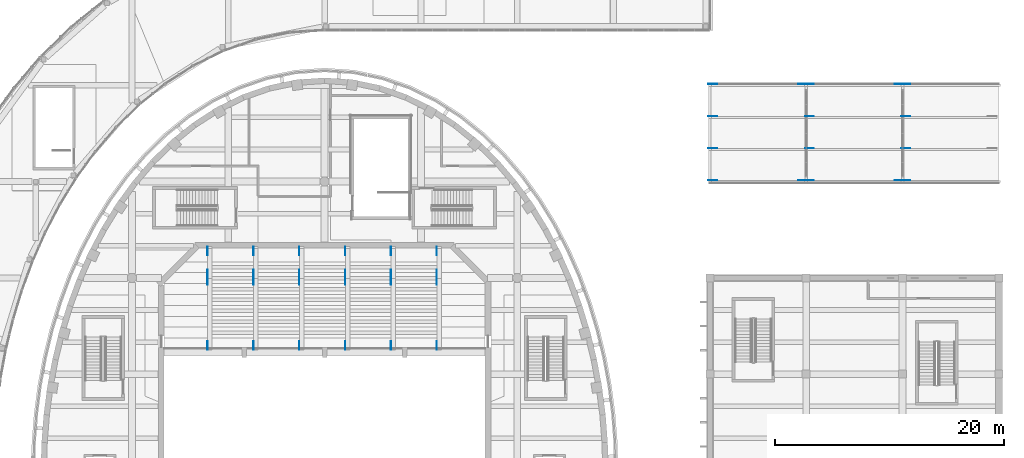
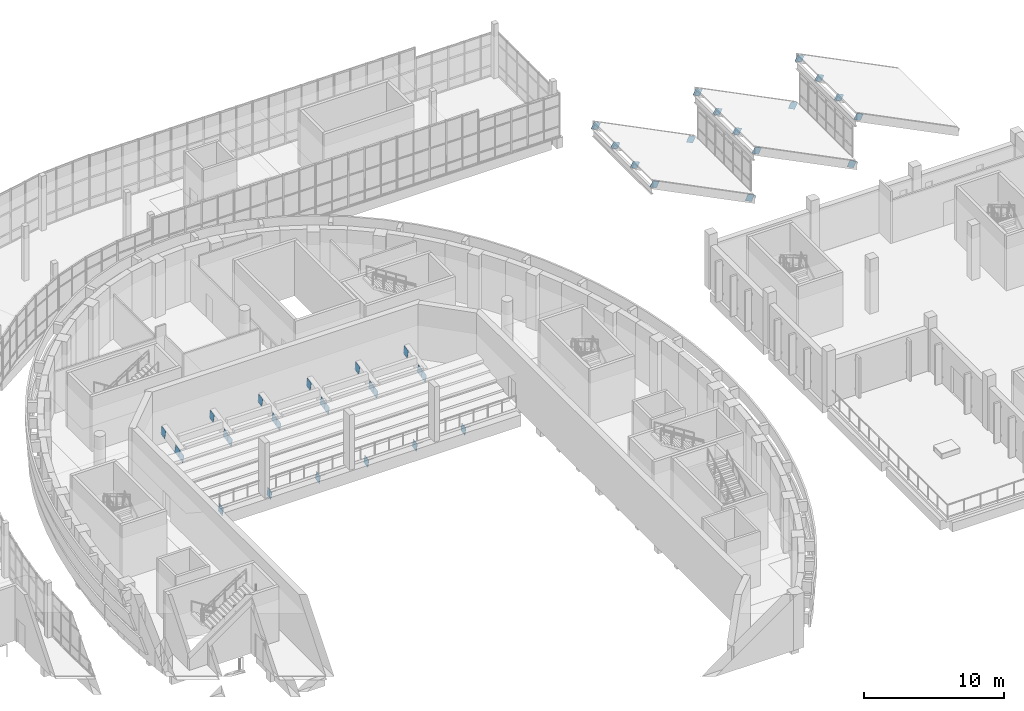
# One storey, part 66 of 103: 40 discrete accessories.
"""IFC4 building model written with IfcOpenShell, lengths in metres."""

from ifc_helpers import new_model, si_unit, direction, frame, origin, origin_2d, place, context, subcontext, project, spatial, rectangle, extrude, material, material_profile, profile_set, type_object, element, save


model = new_model("IFC4")

# Units and contexts
model_context = context("Model", 3, precision=1e-05, world=origin(), true_north=direction((0.0, 1.0)))
body_context = subcontext(model_context, "Body", "Model", "MODEL_VIEW")
ifc_project = project(units=[si_unit("LENGTHUNIT", "METRE"), si_unit("AREAUNIT", "SQUARE_METRE"), si_unit("VOLUMEUNIT", "CUBIC_METRE"), si_unit("PLANEANGLEUNIT", "RADIAN"), si_unit("MASSUNIT", "GRAM", prefix="KILO")], contexts=[model_context])

# Site, building, storey
site_placement = place(None, origin())
site = spatial("IfcSite", under=ifc_project, at=site_placement, CompositionType="ELEMENT")
building_placement = place(site_placement, origin())
building = spatial("IfcBuilding", under=site, at=building_placement, Name="Larchfold Concert Hall", CompositionType="ELEMENT")
storey_placement = place(building_placement, frame((0.0, 0.0, 9.60009765625)))
storey = spatial("IfcBuildingStorey", under=building, at=storey_placement, Name="L02", CompositionType="ELEMENT", Elevation=9.60009765625)

# Discrete accessories
ifc_material_1 = material(Name="Steel S355 galvanised bracket", Category="steel")
ifc_material_profile_1 = material_profile(ifc_material_1, rectangle(XDim=0.02001953125, YDim=0.550048828125, at=origin_2d()))
ifc_profile_set_1 = profile_set([ifc_material_profile_1], Name="Steel S355 galvanised bracket")
discrete_accessory_type_1 = type_object("IfcDiscreteAccessoryType", Name="Gusset plate 20x550", PredefinedType="BRACKET", material=ifc_profile_set_1)
for number, where, z_axis, x_axis, name in (
    (1, (76.199951171875, 109.905029296875, 3.77294921875), (0.894427191, 0.0, -0.4472135955), (0.0, 1.0, 0.0), "Gusset plate GP0785"),
    (2, (84.045654296875, 109.905029296875, -0.149658203125), (0.894427191, 0.0, -0.4472135955), (0.0, 1.0, 0.0), "Gusset plate GP0786"),
    (3, (76.199951171875, 112.705078125, 3.77294921875), (0.894427191, 0.0, -0.4472135955), (0.0, 1.0, 0.0), "Gusset plate GP0787"),
    (4, (76.199951171875, 115.5048828125, 3.77294921875), (0.894427191, 0.0, -0.4472135955), (0.0, 1.0, 0.0), "Gusset plate GP0788"),
    (5, (76.199951171875, 118.304931640625, 3.77294921875), (0.894427191, 0.0, -0.4472135955), (0.0, 1.0, 0.0), "Gusset plate GP0789"),
    (6, (84.045654296875, 118.304931640625, -0.149658203125), (0.894427191, 0.0, -0.4472135955), (0.0, 1.0, 0.0), "Gusset plate GP0790"),
    (7, (84.617919921875, 109.905029296875, 3.763916015625), (0.894427191, 0.0, -0.4472135955), (0.0, 1.0, 0.0), "Gusset plate GP0791"),
    (8, (92.445556640625, 109.905029296875, -0.149658203125), (0.894427191, 0.0, -0.4472135955), (0.0, 1.0, 0.0), "Gusset plate GP0792"),
    (9, (84.617919921875, 112.705078125, 3.763916015625), (0.894427191, 0.0, -0.4472135955), (0.0, 1.0, 0.0), "Gusset plate GP0793"),
    (10, (84.617919921875, 115.5048828125, 3.763916015625), (0.894427191, 0.0, -0.4472135955), (0.0, 1.0, 0.0), "Gusset plate GP0794"),
    (11, (84.60009765625, 118.304931640625, 3.77294921875), (0.894427191, 0.0, -0.4472135955), (0.0, 1.0, 0.0), "Gusset plate GP0795"),
    (12, (92.445556640625, 118.304931640625, -0.149658203125), (0.894427191, 0.0, -0.4472135955), (0.0, 1.0, 0.0), "Gusset plate GP0796"),
    (13, (93.017822265625, 109.905029296875, 3.763916015625), (0.894427191, 0.0, -0.4472135955), (0.0, 1.0, 0.0), "Gusset plate GP0797"),
    (14, (93.017822265625, 112.705078125, 3.763916015625), (0.894427191, 0.0, -0.4472135955), (0.0, 1.0, 0.0), "Gusset plate GP0798"),
    (15, (93.017822265625, 115.5048828125, 3.763916015625), (0.894427191, 0.0, -0.4472135955), (0.0, 1.0, 0.0), "Gusset plate GP0800"),
    (16, (93.0, 118.304931640625, 3.77294921875), (0.894427191, 0.0, -0.4472135955), (0.0, 1.0, 0.0), "Gusset plate GP0802"),
):
    element("IfcDiscreteAccessory", number, at=place(storey_placement, frame(where, z_axis=z_axis, x_axis=x_axis)), inside=storey, type_object=discrete_accessory_type_1, Name=name, PredefinedType="BRACKET", context=body_context, shape_type="SweptSolid", body=[
        extrude(rectangle(XDim=0.02001953125, YDim=0.550048828125, at=origin_2d()), origin(), (0.0, 0.0, 1.0), 0.599853515625),
    ])
ifc_material_2 = material(Name="Steel S355 galvanised bracket", Category="steel")
ifc_material_profile_2 = material_profile(ifc_material_2, rectangle(XDim=0.02001953125, YDim=0.75, at=origin_2d()))
ifc_profile_set_2 = profile_set([ifc_material_profile_2], Name="Steel S355 galvanised bracket")
discrete_accessory_type_2 = type_object("IfcDiscreteAccessoryType", Name="Gusset plate 20x750", PredefinedType="BRACKET", material=ifc_profile_set_2)
for number, where, z_axis, x_axis, name in (
    (17, (32.39013671875, 95.219482421875, -0.615966796875), (0.0, 0.978411439156, 0.206666532678), (-1.0, 0.0, 0.0), "Gusset plate GP0001"),
    (18, (32.39013671875, 100.86279296875, 0.5751953125), (0.0, 0.978411439156, 0.206666532678), (-1.0, 0.0, 0.0), "Gusset plate GP0002"),
    (19, (32.39013671875, 101.449951171875, 0.69921875), (0.0, 0.978493630327, 0.206277035583), (-1.0, 0.0, 0.0), "Gusset plate GP0003"),
    (20, (32.39013671875, 103.443359375, 1.119873046875), (0.0, 0.978493630327, 0.206277035583), (-1.0, 0.0, 0.0), "Gusset plate GP0004"),
    (21, (36.39013671875, 95.219482421875, -0.615966796875), (0.0, 0.978411439156, 0.206666532678), (-1.0, 0.0, 0.0), "Gusset plate GP0005"),
    (22, (36.39013671875, 100.86279296875, 0.5751953125), (0.0, 0.978411439156, 0.206666532678), (-1.0, 0.0, 0.0), "Gusset plate GP0006"),
    (23, (36.39013671875, 101.449951171875, 0.69921875), (0.0, 0.978493630327, 0.206277035583), (-1.0, 0.0, 0.0), "Gusset plate GP0007"),
    (24, (36.39013671875, 103.443359375, 1.119873046875), (0.0, 0.978493630327, 0.206277035583), (-1.0, 0.0, 0.0), "Gusset plate GP0008"),
    (25, (40.39013671875, 95.219482421875, -0.615966796875), (0.0, 0.978411439156, 0.206666532678), (-1.0, 0.0, 0.0), "Gusset plate GP0009"),
    (26, (40.39013671875, 100.86279296875, 0.5751953125), (0.0, 0.978411439156, 0.206666532678), (-1.0, 0.0, 0.0), "Gusset plate GP0010"),
    (27, (40.39013671875, 101.449951171875, 0.69921875), (0.0, 0.978493630327, 0.206277035583), (-1.0, 0.0, 0.0), "Gusset plate GP0011"),
    (28, (40.39013671875, 103.443359375, 1.119873046875), (0.0, 0.978493630327, 0.206277035583), (-1.0, 0.0, 0.0), "Gusset plate GP0012"),
    (29, (44.39013671875, 95.219482421875, -0.615966796875), (0.0, 0.978411439156, 0.206666532678), (-1.0, 0.0, 0.0), "Gusset plate GP0013"),
    (30, (44.39013671875, 100.86279296875, 0.5751953125), (0.0, 0.978411439156, 0.206666532678), (-1.0, 0.0, 0.0), "Gusset plate GP0014"),
    (31, (44.39013671875, 101.449951171875, 0.69921875), (0.0, 0.978493630327, 0.206277035583), (-1.0, 0.0, 0.0), "Gusset plate GP0015"),
    (32, (44.39013671875, 103.443359375, 1.119873046875), (0.0, 0.978493630327, 0.206277035583), (-1.0, 0.0, 0.0), "Gusset plate GP0016"),
    (33, (48.39013671875, 95.219482421875, -0.615966796875), (0.0, 0.978411439156, 0.206666532678), (-1.0, 0.0, 0.0), "Gusset plate GP0017"),
    (34, (48.39013671875, 100.86279296875, 0.5751953125), (0.0, 0.978411439156, 0.206666532678), (-1.0, 0.0, 0.0), "Gusset plate GP0018"),
    (35, (48.39013671875, 101.449951171875, 0.69921875), (0.0, 0.978493630327, 0.206277035583), (-1.0, 0.0, 0.0), "Gusset plate GP0019"),
    (36, (48.39013671875, 103.443359375, 1.119873046875), (0.0, 0.978493630327, 0.206277035583), (-1.0, 0.0, 0.0), "Gusset plate GP0020"),
    (37, (52.39013671875, 95.219482421875, -0.615966796875), (0.0, 0.978411439156, 0.206666532678), (-1.0, 0.0, 0.0), "Gusset plate GP0021"),
    (38, (52.39013671875, 100.86279296875, 0.5751953125), (0.0, 0.978411439156, 0.206666532678), (-1.0, 0.0, 0.0), "Gusset plate GP0022"),
    (39, (52.39013671875, 101.449951171875, 0.69921875), (0.0, 0.978493630327, 0.206277035583), (-1.0, 0.0, 0.0), "Gusset plate GP0023"),
    (40, (52.39013671875, 103.443359375, 1.119873046875), (0.0, 0.978493630327, 0.206277035583), (-1.0, 0.0, 0.0), "Gusset plate GP0024"),
):
    element("IfcDiscreteAccessory", number, at=place(storey_placement, frame(where, z_axis=z_axis, x_axis=x_axis)), inside=storey, type_object=discrete_accessory_type_2, Name=name, PredefinedType="BRACKET", context=body_context, shape_type="SweptSolid", body=[
        extrude(rectangle(XDim=0.02001953125, YDim=0.75, at=origin_2d()), origin(), (0.0, 0.0, 1.0), 0.60009765625),
    ])

save(model, "model.ifc")
